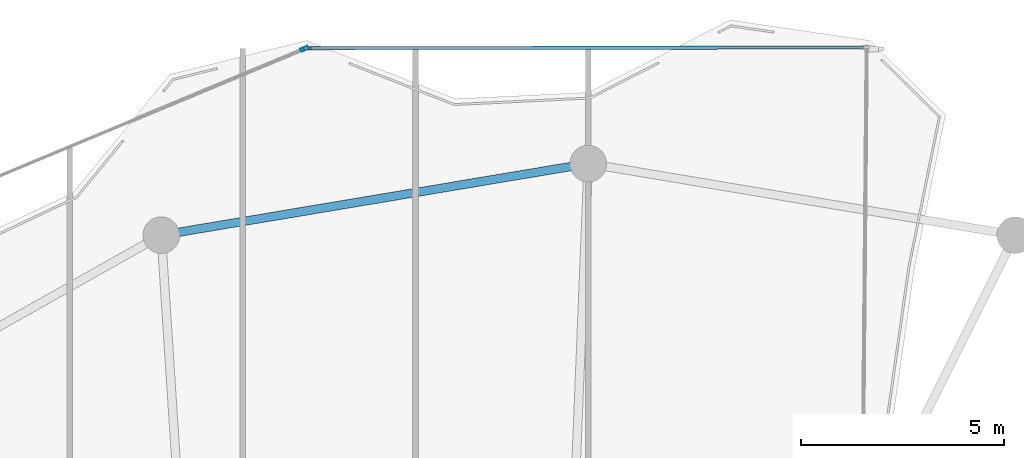
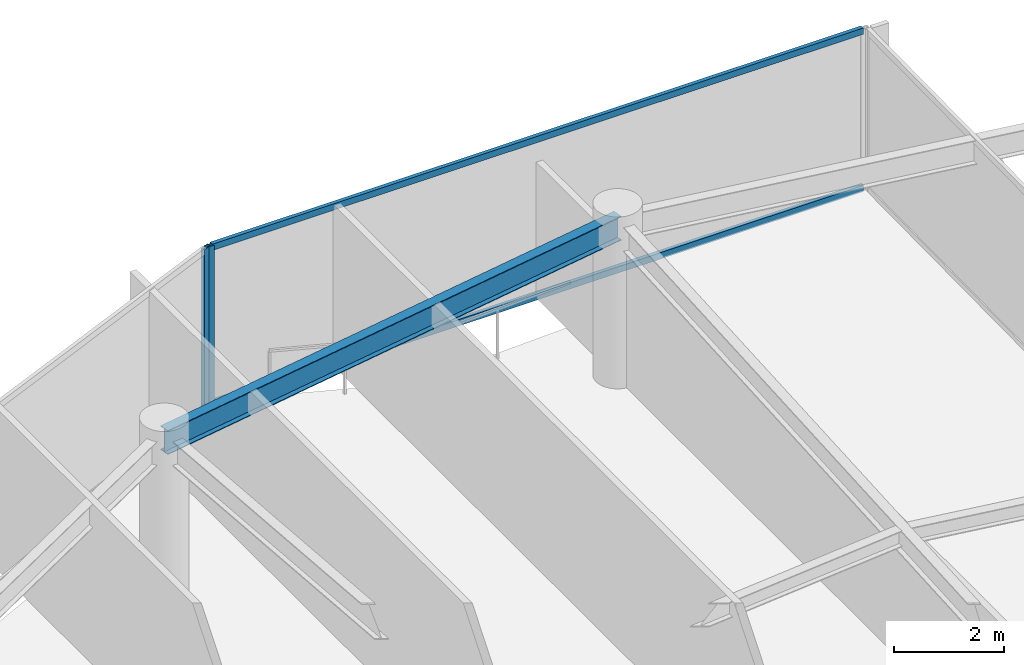
# One storey, part 15 of 22: 4 members, 1 beam, 2 elements without a shape of their own.
"""IFC4 building model written with IfcOpenShell, lengths in metres."""

from ifc_helpers import new_model, si_unit, direction, frame, origin, origin_2d, place, context, subcontext, project, spatial, hollow_rectangle, i_section, extrude, material, layer, layer_set, material_profile, profile_set, type_object, element, aggregate, save


model = new_model("IFC4")

# Units and contexts
model_context = context("Model", 3, precision=1e-05, world=origin(), true_north=direction((0.0, 1.0)))
body_context = subcontext(model_context, "Body", "Model", "MODEL_VIEW")
ifc_project = project(units=[si_unit("LENGTHUNIT", "METRE"), si_unit("AREAUNIT", "SQUARE_METRE"), si_unit("VOLUMEUNIT", "CUBIC_METRE"), si_unit("PLANEANGLEUNIT", "RADIAN"), si_unit("MASSUNIT", "GRAM", prefix="KILO")], contexts=[model_context])

# Site, building, storey
site_placement = place(None, origin())
site = spatial("IfcSite", under=ifc_project, at=site_placement, CompositionType="ELEMENT")
building_placement = place(site_placement, origin())
building = spatial("IfcBuilding", under=site, at=building_placement, Name="Kazevale Care Tower and Concert Hall", CompositionType="ELEMENT")
storey_placement = place(building_placement, frame((0.0, 0.0, 273.800048828125)))
storey = spatial("IfcBuildingStorey", under=building, at=storey_placement, Name="L72", CompositionType="ELEMENT", Elevation=273.800048828125)

# Curtain wall, member
ifc_material_1 = material(Name="Aluminium 6063-T6 and Low-E Glass", Category="aluminium")
ifc_layer = layer(ifc_material_1, 0.179931640625)
ifc_layer_set = layer_set([ifc_layer], Name="Aluminium 6063-T6 and Low-E Glass")
curtain_wall_type = type_object("IfcCurtainWallType", Name="Waist & Upper Residential Curtain Wall CW-4", PredefinedType="NOTDEFINED", material=ifc_layer_set)
curtain_wall_1_placement = place(storey_placement, origin())
curtain_wall_1 = element("IfcCurtainWall", 1, at=curtain_wall_1_placement, inside=storey, type_object=curtain_wall_type, Name="cw:L72:f11", PredefinedType="NOTDEFINED")
ifc_material_2 = material(Name="Aluminium 6063-T6", Category="aluminium")
ifc_material_profile_1 = material_profile(ifc_material_2, hollow_rectangle(XDim=0.080078125, YDim=0.179931640625, WallThickness=0.0048828125, at=origin_2d()), Name="ALU80x180x5")
ifc_profile_set_1 = profile_set([ifc_material_profile_1], Name="Aluminium 6063-T6")
member_type_1 = type_object("IfcMemberType", Name="CW-4 Mullion ALU80x180x5", PredefinedType="MULLION", material=ifc_profile_set_1)
member_1_placement = place(storey_placement, frame((38.01904296875, 63.97265625, 0.0), z_axis=(0.0, 0.0, 1.0), x_axis=(-0.384684013802, 0.923048324588, 0.0)))
member_1 = element("IfcMember", 2, at=member_1_placement, type_object=member_type_1, Name="CW-4 mullion 2", PredefinedType="MULLION", context=body_context, shape_type="SweptSolid", body=[
    extrude(hollow_rectangle(XDim=0.080078125, YDim=0.179931640625, WallThickness=0.0048828125, at=origin_2d()), origin(), (0.0, 0.0, 1.0), 3.56005859375),
])
aggregate(curtain_wall_1, [member_1])

# Curtain wall, members
curtain_wall_2_placement = place(storey_placement, origin())
curtain_wall_2 = element("IfcCurtainWall", 3, at=curtain_wall_2_placement, inside=storey, type_object=curtain_wall_type, Name="cw:L72:f12", PredefinedType="NOTDEFINED")
member_2_placement = place(storey_placement, frame((38.095947265625, 63.988037109375, 0.0), z_axis=(0.0, 0.0, 1.0), x_axis=(-0.001377708789, 0.999999050959, 0.0)))
member_2 = element("IfcMember", 4, at=member_2_placement, type_object=member_type_1, Name="CW-4 mullion 1", PredefinedType="MULLION", context=body_context, shape_type="SweptSolid", body=[
    extrude(hollow_rectangle(XDim=0.080078125, YDim=0.179931640625, WallThickness=0.0048828125, at=origin_2d()), origin(), (0.0, 0.0, 1.0), 3.56005859375),
])
ifc_material_profile_2 = material_profile(ifc_material_2, hollow_rectangle(XDim=0.080078125, YDim=0.139892578125, WallThickness=0.00390625, at=origin_2d()), Name="ALU80x140x4")
ifc_profile_set_2 = profile_set([ifc_material_profile_2], Name="Aluminium 6063-T6")
member_type_2 = type_object("IfcMemberType", Name="CW-4 Transom ALU80x140x4", PredefinedType="USERDEFINED", material=ifc_profile_set_2)
member_3_placement = place(storey_placement, frame((38.135986328125, 63.988037109375, 0.0400390625), z_axis=(0.999999049025, 0.0013791114, 0.0), x_axis=(-0.0013791114, 0.999999049025, 0.0)))
member_3 = element("IfcMember", 5, at=member_3_placement, type_object=member_type_2, Name="CW-4 transom 1.1", ObjectType="TRANSOM", PredefinedType="USERDEFINED", context=body_context, shape_type="SweptSolid", body=[
    extrude(hollow_rectangle(XDim=0.080078125, YDim=0.139892578125, WallThickness=0.00390625, at=origin_2d()), origin(), (0.0, 0.0, 1.0), 13.631103515625),
])
member_4_placement = place(storey_placement, frame((38.135986328125, 63.988037109375, 3.52001953125), z_axis=(0.999999049025, 0.0013791114, 0.0), x_axis=(-0.0013791114, 0.999999049025, 0.0)))
member_4 = element("IfcMember", 6, at=member_4_placement, type_object=member_type_2, Name="CW-4 transom 1.2", ObjectType="TRANSOM", PredefinedType="USERDEFINED", context=body_context, shape_type="SweptSolid", body=[
    extrude(hollow_rectangle(XDim=0.080078125, YDim=0.139892578125, WallThickness=0.00390625, at=origin_2d()), origin(), (0.0, 0.0, 1.0), 13.631103515625),
])
aggregate(curtain_wall_2, [member_2, member_3, member_4])

# Beam
ifc_material_3 = material(Name="Steel ASTM A572 Gr 50", Category="steel")
ifc_material_profile_3 = material_profile(ifc_material_3, i_section(OverallWidth=0.208984375, OverallDepth=0.532958984375, WebThickness=0.01025390625, FlangeThickness=0.015625, at=origin_2d()), Name="W530x92")
ifc_profile_set_3 = profile_set([ifc_material_profile_3], Name="Steel ASTM A572 Gr 50")
beam_type = type_object("IfcBeamType", Name="Upper Ring Beam W530x92", PredefinedType="BEAM", material=ifc_profile_set_3)
beam_placement = place(storey_placement, frame((45.0, 61.14990234375, 3.29345703125), z_axis=(-0.986241035683, -0.165313700387, 0.0), x_axis=(0.165313700387, -0.986241035683, 0.0)))
element("IfcBeam", 7, at=beam_placement, inside=storey, type_object=beam_type, Name="beam:L72:ring:05", PredefinedType="BEAM", context=body_context, shape_type="SweptSolid", body=[
    extrude(i_section(OverallWidth=0.208984375, OverallDepth=0.532958984375, WebThickness=0.01025390625, FlangeThickness=0.015625, at=origin_2d()), origin(), (0.0, 0.0, 1.0), 10.646484375),
])

save(model, "model.ifc")
